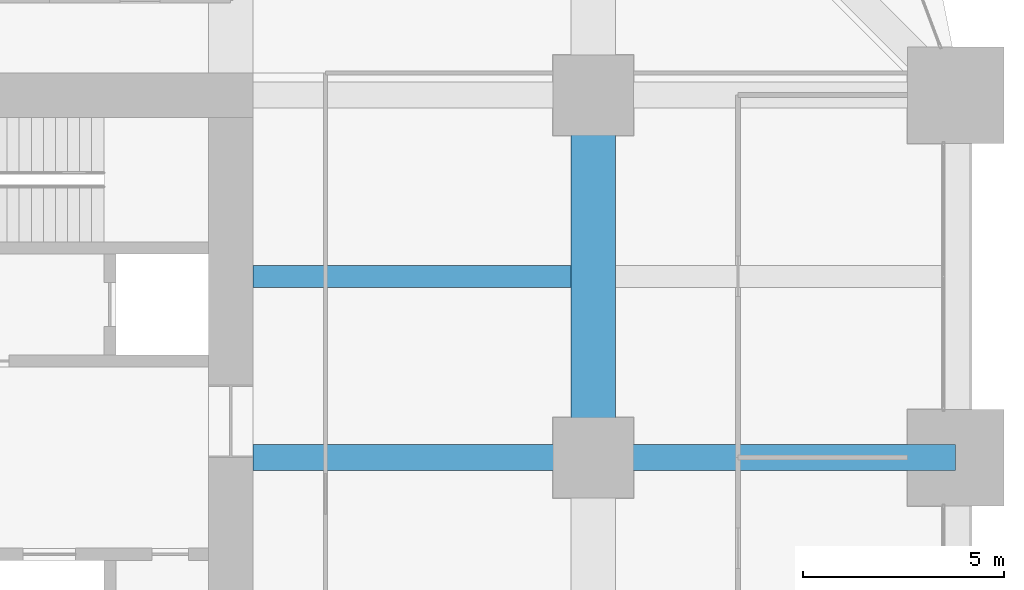
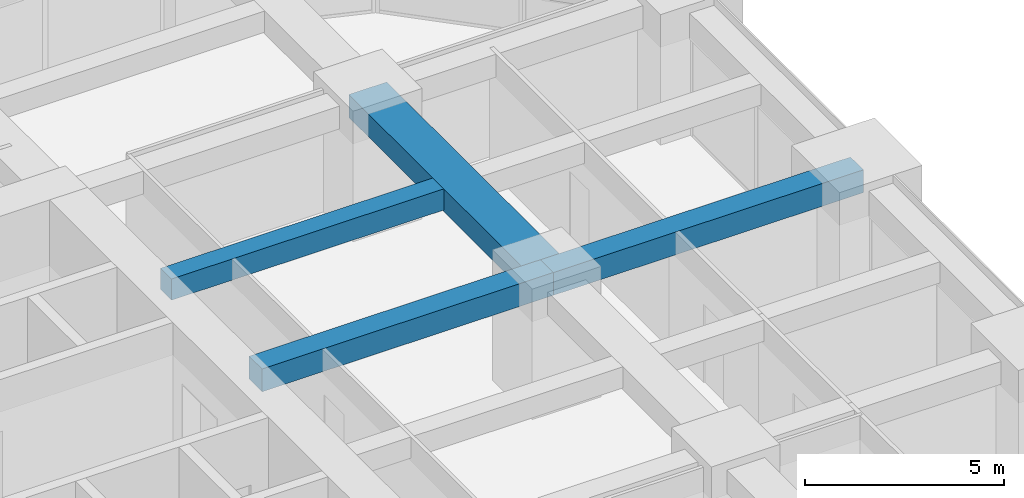
# One storey, part 22 of 41: 4 beams.
"""IFC4 building model written with IfcOpenShell, lengths in metres."""

import ifcopenshell
import ifcopenshell.guid

model = None  # the IFC model being written
_history = None  # IfcOwnerHistory: only IFC2X3 demands one
_inside = {}  # id of a spatial element -> (the spatial element, [elements in it])
_under = {}  # id of a project, library or spatial element -> (it, [spatial elements below it])
_declared = {}  # id of a project -> (the project, [libraries it declares])
_typed = {}  # id of a type object -> (the type object, [elements of that type])
_made_of = {}  # id of a material, layer set ... -> (it, [elements and type objects made of it])


def new_model(schema):
    """Start an empty IFC model of exactly this schema.

    Asked for "IFC4X3", IfcOpenShell would pick the latest addendum, in which some entities
    have other attributes; the version numbers below select the first issue.
    IFC2X3 requires an IfcOwnerHistory on every rooted entity: one is made here for all.
    """
    global model, _history
    if schema == "IFC4X3":
        model = ifcopenshell.file(schema_version=(4, 3, 0, 0))
    else:
        model = ifcopenshell.file(schema=schema)
    _inside.clear()
    _under.clear()
    _declared.clear()
    _typed.clear()
    _made_of.clear()
    _history = None
    if model.schema == "IFC2X3":
        org = make("IfcOrganization", Name="unknown")
        user = make(
            "IfcPersonAndOrganization",
            ThePerson=make("IfcPerson", FamilyName="unknown"),
            TheOrganization=org,
        )
        app = make(
            "IfcApplication",
            ApplicationDeveloper=org,
            Version="unknown",
            ApplicationFullName="unknown",
            ApplicationIdentifier="unknown",
        )
        _history = make(
            "IfcOwnerHistory",
            OwningUser=user,
            OwningApplication=app,
            ChangeAction="ADDED",
            CreationDate=0,
        )
    return model


def make(cls, **values):
    """One entity of the class cls with the attributes given. An attribute that is None is left unset."""
    return model.create_entity(
        cls, **{name: value for name, value in values.items() if value is not None}
    )


def rooted(cls, **values):
    """An entity with a GlobalId (a new one), such as an element, a storey or a relation."""
    return make(cls, GlobalId=ifcopenshell.guid.new(), OwnerHistory=_history, **values)


def si_unit(unit_type, name, prefix=None):
    """IfcSIUnit, for example si_unit("LENGTHUNIT", "METRE", prefix="MILLI")."""
    return make("IfcSIUnit", UnitType=unit_type, Prefix=prefix, Name=name)


def assignment(units):
    """IfcUnitAssignment: the units of a project."""
    return None if units is None else make("IfcUnitAssignment", Units=units)


def point(xyz):
    """IfcCartesianPoint."""
    return None if xyz is None else make("IfcCartesianPoint", Coordinates=xyz)


def direction(xyz):
    """IfcDirection."""
    return None if xyz is None else make("IfcDirection", DirectionRatios=xyz)


def frame(location, z_axis=None, x_axis=None):
    """IfcAxis2Placement3D, a coordinate frame: its origin and axes. An axis left out is left unset."""
    return make(
        "IfcAxis2Placement3D",
        Location=point(location),
        Axis=direction(z_axis),
        RefDirection=direction(x_axis),
    )


def frame_2d(location, x_axis=None):
    """IfcAxis2Placement2D, a coordinate frame in the plane: its origin and x axis."""
    return make(
        "IfcAxis2Placement2D", Location=point(location), RefDirection=direction(x_axis)
    )


def origin():
    """The frame at (0, 0, 0) with its axes left unset."""
    return frame((0.0, 0.0, 0.0))


def origin_2d():
    """The frame at (0, 0) in the plane with its x axis left unset."""
    return frame_2d((0.0, 0.0))


def place(relative_to, where):
    """IfcLocalPlacement: puts the frame where relative to a parent placement (None: the world)."""
    return make(
        "IfcLocalPlacement", PlacementRelTo=relative_to, RelativePlacement=where
    )


def context(
    kind, dimensions, precision=None, world=None, true_north=None, identifier=None
):
    """IfcGeometricRepresentationContext, for example the 3D "Model" context."""
    return make(
        "IfcGeometricRepresentationContext",
        ContextIdentifier=identifier,
        ContextType=kind,
        CoordinateSpaceDimension=dimensions,
        Precision=precision,
        WorldCoordinateSystem=world,
        TrueNorth=true_north,
    )


def subcontext(parent, identifier, kind, view, scale=None):
    """IfcGeometricRepresentationSubContext, for example "Body" below "Model"."""
    return make(
        "IfcGeometricRepresentationSubContext",
        ContextIdentifier=identifier,
        ContextType=kind,
        ParentContext=parent,
        TargetScale=scale,
        TargetView=view,
    )


def project(units=None, contexts=None):
    """IfcProject with its units and contexts."""
    return rooted(
        "IfcProject",
        Name="project",
        RepresentationContexts=contexts,
        UnitsInContext=assignment(units),
    )


def spatial(cls, under=None, at=None, **own):
    """A site, building, storey or space (cls), placed at a placement, below another one or the project."""
    s = rooted(cls, ObjectPlacement=at, **own)
    if under is not None:
        _under.setdefault(under.id(), (under, []))[1].append(s)
    return s


def profile(cls, at=None, kind="AREA", **sizes):
    """A parametric profile (cls). Its sizes go by their IFC names, for example OverallWidth=200.0."""
    return make(cls, ProfileType=kind, Position=at, **sizes)


def rectangle(**sizes):
    """IfcRectangleProfileDef."""
    return profile("IfcRectangleProfileDef", **sizes)


def extrude(swept, where, along, depth):
    """IfcExtrudedAreaSolid: the profile swept, set in the frame where, extruded along a direction by depth."""
    return make(
        "IfcExtrudedAreaSolid",
        SweptArea=swept,
        Position=where,
        ExtrudedDirection=direction(along),
        Depth=depth,
    )


def shape(context_of_items, identifier, shape_type, items):
    """IfcShapeRepresentation: the items that make up one representation, for example the "Body"."""
    return make(
        "IfcShapeRepresentation",
        ContextOfItems=context_of_items,
        RepresentationIdentifier=identifier,
        RepresentationType=shape_type,
        Items=items,
    )


def material(Name=None, Category=None):
    """IfcMaterial."""
    return make("IfcMaterial", Name=Name, Category=Category)


def material_profile(
    of_material, cross_section, Name=None, Category=None, Priority=None
):
    """IfcMaterialProfile: a cross section and its material."""
    return make(
        "IfcMaterialProfile",
        Name=Name,
        Material=of_material,
        Profile=cross_section,
        Priority=Priority,
        Category=Category,
    )


def profile_set(profiles, Name=None, composite=None):
    """IfcMaterialProfileSet."""
    return make(
        "IfcMaterialProfileSet",
        Name=Name,
        MaterialProfiles=profiles,
        CompositeProfile=composite,
    )


def made_of(thing, what):
    """Note that an element or type object is made of a material, layer set ...; save() writes the relation."""
    if what is not None:
        _made_of.setdefault(what.id(), (what, []))[1].append(thing)
    return thing


def type_object(cls, material=None, **own):
    """A type object (cls), such as IfcWallType, which elements share."""
    return made_of(rooted(cls, **own), material)


def element(
    cls,
    number,
    at=None,
    inside=None,
    cuts=None,
    type_object=None,
    material=None,
    context=None,
    identifier="Body",
    shape_type=None,
    held_by="IfcProductDefinitionShape",
    body=None,
    shapes=None,
    **own,
):
    """One element of the class cls, such as IfcWall. Its Tag is "e" and its number.

    at: its placement. inside: the storey or other place that contains it. cuts: it is an
    opening in that element (IfcRelVoidsElement). A single representation is given by context,
    identifier, shape_type and body (its items); several are given by shapes. held_by: the class
    of the entity that holds the representations. save() writes the other relations.
    """
    e = rooted(cls, Tag="e%d" % number, ObjectPlacement=at, **own)
    if body is not None:
        shapes = [shape(context, identifier, shape_type, body)]
    if shapes is not None:
        e.Representation = make(held_by, Representations=shapes)
    if inside is not None:
        _inside.setdefault(inside.id(), (inside, []))[1].append(e)
    if cuts is not None:
        rooted(
            "IfcRelVoidsElement", RelatingBuildingElement=cuts, RelatedOpeningElement=e
        )
    if type_object is not None:
        _typed.setdefault(type_object.id(), (type_object, []))[1].append(e)
    return made_of(e, material)


def aggregate(whole, parts):
    """IfcRelAggregates: a whole, such as a stair, and the parts it consists of."""
    return rooted("IfcRelAggregates", RelatingObject=whole, RelatedObjects=parts)


def save(model, path):
    """Write the relations noted so far, then the file.

    IfcRelAggregates (storeys below a building ...), IfcRelContainedInSpatialStructure (elements
    in a storey), IfcRelDefinesByType, IfcRelAssociatesMaterial and IfcRelDeclares: one each for
    every whole, place, type object, material and project.
    """
    for whole, parts in _under.values():
        aggregate(whole, parts)
    for where, things in _inside.values():
        rooted(
            "IfcRelContainedInSpatialStructure",
            RelatedElements=things,
            RelatingStructure=where,
        )
    for kind, things in _typed.values():
        rooted("IfcRelDefinesByType", RelatedObjects=things, RelatingType=kind)
    for what, things in _made_of.values():
        rooted("IfcRelAssociatesMaterial", RelatedObjects=things, RelatingMaterial=what)
    for by, libraries in _declared.values():
        rooted("IfcRelDeclares", RelatingContext=by, RelatedDefinitions=libraries)
    model.write(path)


model = new_model("IFC4")

# Units and contexts
model_context = context("Model", 3, precision=1e-05, world=origin(), true_north=direction((0.0, 1.0)))
body_context = subcontext(model_context, "Body", "Model", "MODEL_VIEW")
ifc_project = project(units=[si_unit("LENGTHUNIT", "METRE"), si_unit("AREAUNIT", "SQUARE_METRE"), si_unit("VOLUMEUNIT", "CUBIC_METRE"), si_unit("PLANEANGLEUNIT", "RADIAN"), si_unit("MASSUNIT", "GRAM", prefix="KILO")], contexts=[model_context])

# Site, building, storey
site_placement = place(None, origin())
site = spatial("IfcSite", under=ifc_project, at=site_placement, CompositionType="ELEMENT")
building_placement = place(site_placement, origin())
building = spatial("IfcBuilding", under=site, at=building_placement, Name="Zorevar Civic Tower", CompositionType="ELEMENT")
storey_placement = place(building_placement, frame((0.0, 0.0, 109.0)))
storey = spatial("IfcBuildingStorey", under=building, at=storey_placement, Name="L26", CompositionType="ELEMENT", Elevation=109.0)

# Beams
ifc_material_1 = material(Name="Concrete C50/60", Category="concrete")
ifc_material_profile_1 = material_profile(ifc_material_1, rectangle(XDim=1.10009765625, YDim=0.699951171875, at=origin_2d()), Name="RC 1100x700")
ifc_profile_set_1 = profile_set([ifc_material_profile_1], Name="Concrete C50/60")
beam_type_1 = type_object("IfcBeamType", Name="Beam RC 1100x700", PredefinedType="BEAM", material=ifc_profile_set_1)
beam_1_placement = place(storey_placement, frame((54.0, 27.0, 3.39990234375), z_axis=(0.0, 1.0, 0.0), x_axis=(-1.0, 0.0, 0.0)))
element("IfcBeam", 1, at=beam_1_placement, inside=storey, type_object=beam_type_1, Name="Girder L27", PredefinedType="BEAM", context=body_context, shape_type="SweptSolid", body=[
    extrude(rectangle(XDim=1.10009765625, YDim=0.699951171875, at=origin_2d()), origin(), (0.0, 0.0, 1.0), 9.0),
])
ifc_material_2 = material(Name="Concrete C50/60", Category="concrete")
ifc_material_profile_2 = material_profile(ifc_material_2, rectangle(XDim=0.550048828125, YDim=0.64990234375, at=origin_2d()), Name="RC 550x650")
ifc_profile_set_2 = profile_set([ifc_material_profile_2], Name="Concrete C50/60")
beam_type_2 = type_object("IfcBeamType", Name="Beam RC 550x650", PredefinedType="BEAM", material=ifc_profile_set_2)
beam_2_placement = place(storey_placement, frame((45.550048828125, 31.5, 3.425048828125), z_axis=(1.0, 0.0, 0.0), x_axis=(0.0, 1.0, 0.0)))
element("IfcBeam", 2, at=beam_2_placement, inside=storey, type_object=beam_type_2, Name="Secondary beam L27", PredefinedType="BEAM", context=body_context, shape_type="SweptSolid", body=[
    extrude(rectangle(XDim=0.550048828125, YDim=0.64990234375, at=origin_2d()), origin(), (0.0, 0.0, 1.0), 7.89990234375),
])
ifc_material_3 = material(Name="Concrete C50/60", Category="concrete")
ifc_material_profile_3 = material_profile(ifc_material_3, rectangle(XDim=0.64990234375, YDim=0.699951171875, at=origin_2d()), Name="RC 650x700")
ifc_profile_set_3 = profile_set([ifc_material_profile_3], Name="Concrete C50/60")
beam_type_3 = type_object("IfcBeamType", Name="Beam RC 650x700", PredefinedType="BEAM", material=ifc_profile_set_3)
beam_3_placement = place(storey_placement, frame((45.550048828125, 27.0, 3.39990234375), z_axis=(1.0, 0.0, 0.0), x_axis=(0.0, 1.0, 0.0)))
element("IfcBeam", 3, at=beam_3_placement, inside=storey, type_object=beam_type_3, Name="Girder L27", PredefinedType="BEAM", context=body_context, shape_type="SweptSolid", body=[
    extrude(rectangle(XDim=0.64990234375, YDim=0.699951171875, at=origin_2d()), origin(), (0.0, 0.0, 1.0), 8.449951171875),
])
beam_4_placement = place(storey_placement, frame((54.0, 27.0, 3.39990234375), z_axis=(1.0, 0.0, 0.0), x_axis=(0.0, 1.0, 0.0)))
element("IfcBeam", 4, at=beam_4_placement, inside=storey, type_object=beam_type_3, Name="Girder L27", PredefinedType="BEAM", context=body_context, shape_type="SweptSolid", body=[
    extrude(rectangle(XDim=0.64990234375, YDim=0.699951171875, at=origin_2d()), origin(), (0.0, 0.0, 1.0), 9.0),
])

save(model, "model.ifc")
